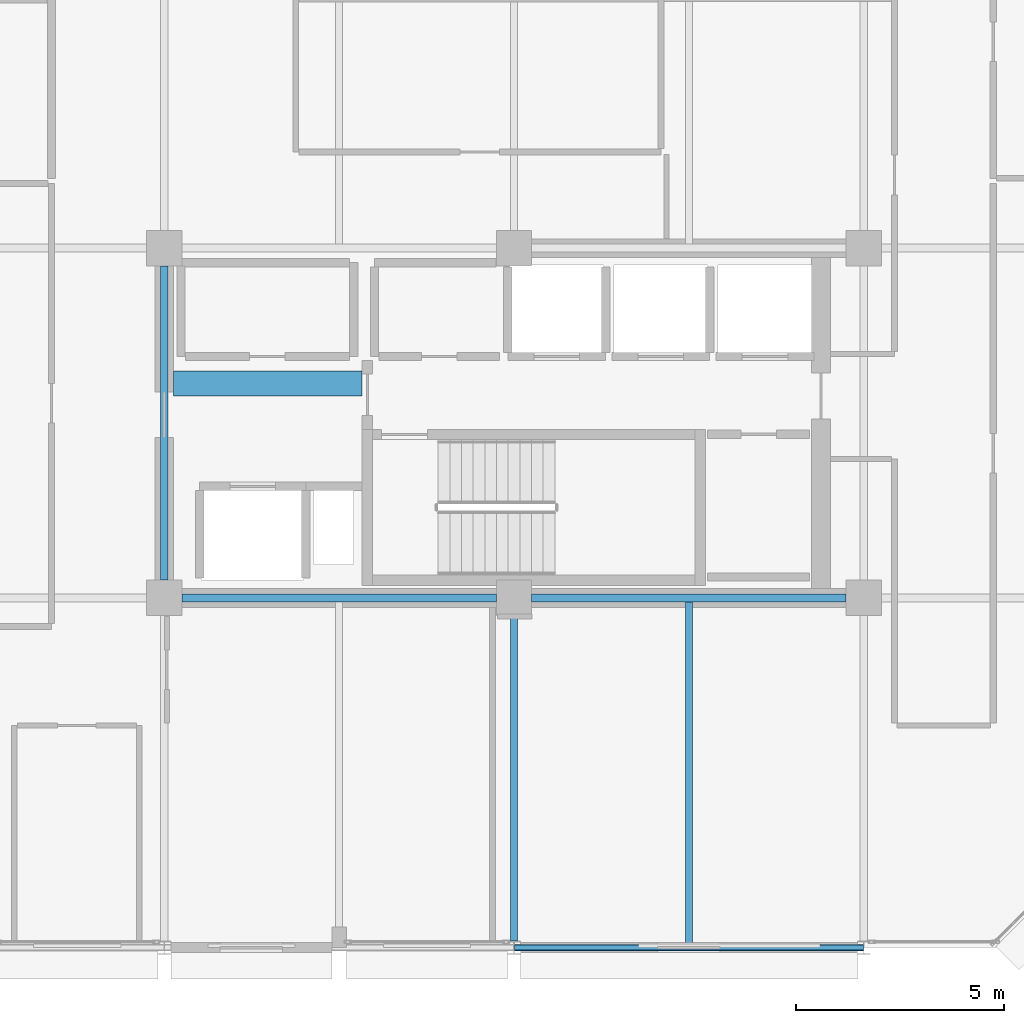
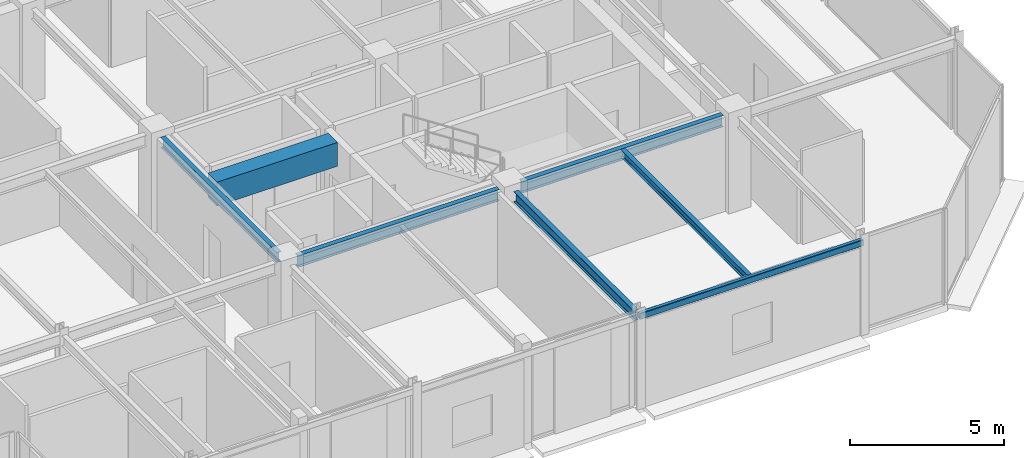
# One storey, part 8 of 27: 7 beams.
"""IFC4 building model written with IfcOpenShell, lengths in metres."""

from ifc_helpers import new_model, si_unit, direction, frame, origin, origin_2d, place, context, subcontext, project, spatial, rectangle, hollow_rectangle, i_section, extrude, material, material_profile, profile_set, type_object, element, save


model = new_model("IFC4")

# Units and contexts
model_context = context("Model", 3, precision=1e-05, world=origin(), true_north=direction((0.0, 1.0)))
body_context = subcontext(model_context, "Body", "Model", "MODEL_VIEW")
ifc_project = project(units=[si_unit("LENGTHUNIT", "METRE"), si_unit("AREAUNIT", "SQUARE_METRE"), si_unit("VOLUMEUNIT", "CUBIC_METRE"), si_unit("PLANEANGLEUNIT", "RADIAN"), si_unit("MASSUNIT", "GRAM", prefix="KILO")], contexts=[model_context])

# Site, building, storey
site_placement = place(None, origin())
site = spatial("IfcSite", under=ifc_project, at=site_placement, CompositionType="ELEMENT")
building_placement = place(site_placement, origin())
building = spatial("IfcBuilding", under=site, at=building_placement, Name="Nerrivon Quay Data Exchange", CompositionType="ELEMENT")
storey_placement = place(building_placement, frame((0.0, 0.0, 254.199951171875)))
storey = spatial("IfcBuildingStorey", under=building, at=storey_placement, Name="L60", CompositionType="ELEMENT", Elevation=254.199951171875)

# Beams
ifc_material_1 = material(Name="Concrete N50 (50 MPa)", Category="concrete")
ifc_material_profile_1 = material_profile(ifc_material_1, rectangle(XDim=0.60009765625, YDim=0.949951171875, at=origin_2d()), Name="RC-CB-600x950")
ifc_profile_set_1 = profile_set([ifc_material_profile_1], Name="Concrete N50 (50 MPa)")
beam_type_1 = type_object("IfcBeamType", Name="BM-CB2-600x950", PredefinedType="LINTEL", material=ifc_profile_set_1)
beam_1_placement = place(storey_placement, frame((17.02490234375, 13.550048828125, 3.25), z_axis=(1.0, 0.0, 0.0), x_axis=(0.0, 1.0, 0.0)))
element("IfcBeam", 1, at=beam_1_placement, inside=storey, type_object=beam_type_1, Name="L60 East Core Coupling Beam", PredefinedType="LINTEL", context=body_context, shape_type="SweptSolid", body=[
    extrude(rectangle(XDim=0.60009765625, YDim=0.949951171875, at=origin_2d()), origin(), (0.0, 0.0, 1.0), 4.530029296875),
])
ifc_material_2 = material(Name="Steel Grade 350", Category="steel")
ifc_material_profile_2 = material_profile(ifc_material_2, i_section(OverallWidth=0.18994140625, OverallDepth=0.4541015625, WebThickness=0.008544921875, FlangeThickness=0.0126953125, FilletRadius=0.011474609375, at=origin_2d()), Name="460UB67.1")
ifc_profile_set_2 = profile_set([ifc_material_profile_2], Name="Steel Grade 350")
beam_type_2 = type_object("IfcBeamType", Name="BM-G6-460UB67", PredefinedType="BEAM", material=ifc_profile_set_2)
beam_2_placement = place(storey_placement, frame((17.22509765625, 8.39990234375, 3.498046875), z_axis=(1.0, 0.0, 0.0), x_axis=(0.0, 1.0, 0.0)))
element("IfcBeam", 2, at=beam_2_placement, inside=storey, type_object=beam_type_2, Name="L60 EW Girder Y=8.4 (16.8..25.2)", PredefinedType="BEAM", context=body_context, shape_type="SweptSolid", body=[
    extrude(i_section(OverallWidth=0.18994140625, OverallDepth=0.4541015625, WebThickness=0.008544921875, FlangeThickness=0.0126953125, FilletRadius=0.011474609375, at=origin_2d()), origin(), (0.0, 0.0, 1.0), 7.5498046875),
])
beam_3_placement = place(storey_placement, frame((25.625, 8.39990234375, 3.498046875), z_axis=(1.0, 0.0, 0.0), x_axis=(0.0, 1.0, 0.0)))
element("IfcBeam", 3, at=beam_3_placement, inside=storey, type_object=beam_type_2, Name="L60 EW Girder Y=8.4 (25.2..33.6)", PredefinedType="BEAM", context=body_context, shape_type="SweptSolid", body=[
    extrude(i_section(OverallWidth=0.18994140625, OverallDepth=0.4541015625, WebThickness=0.008544921875, FlangeThickness=0.0126953125, FilletRadius=0.011474609375, at=origin_2d()), origin(), (0.0, 0.0, 1.0), 7.550048828125),
])
ifc_material_profile_3 = material_profile(ifc_material_2, i_section(OverallWidth=0.177978515625, OverallDepth=0.406005859375, WebThickness=0.0078125, FlangeThickness=0.0126953125, FilletRadius=0.011474609375, at=origin_2d()), Name="410UB59.7")
ifc_profile_set_3 = profile_set([ifc_material_profile_3], Name="Steel Grade 350")
beam_type_3 = type_object("IfcBeamType", Name="BM-J1-410UB60", PredefinedType="JOIST", material=ifc_profile_set_3)
beam_4_placement = place(storey_placement, frame((16.800048828125, 8.824951171875, 3.52197265625), z_axis=(0.0, 1.0, 0.0), x_axis=(-1.0, 0.0, 0.0)))
element("IfcBeam", 4, at=beam_4_placement, inside=storey, type_object=beam_type_3, Name="L60 NS Girder X=16.8 (8.4..16.8)", PredefinedType="JOIST", context=body_context, shape_type="SweptSolid", body=[
    extrude(i_section(OverallWidth=0.177978515625, OverallDepth=0.406005859375, WebThickness=0.0078125, FlangeThickness=0.0126953125, FilletRadius=0.011474609375, at=origin_2d()), origin(), (0.0, 0.0, 1.0), 7.550048828125),
])
beam_5_placement = place(storey_placement, frame((25.199951171875, 0.16357421875, 3.52197265625), z_axis=(0.0, 1.0, 0.0), x_axis=(-1.0, 0.0, 0.0)))
element("IfcBeam", 5, at=beam_5_placement, inside=storey, type_object=beam_type_3, Name="L60 NS Girder X=25.2 (0.0..8.4)", PredefinedType="JOIST", context=body_context, shape_type="SweptSolid", body=[
    extrude(i_section(OverallWidth=0.177978515625, OverallDepth=0.406005859375, WebThickness=0.0078125, FlangeThickness=0.0126953125, FilletRadius=0.011474609375, at=origin_2d()), origin(), (0.0, 0.0, 1.0), 7.8115234375),
])
ifc_material_profile_4 = material_profile(ifc_material_2, i_section(OverallWidth=0.1650390625, OverallDepth=0.303955078125, WebThickness=0.006103515625, FlangeThickness=0.01025390625, FilletRadius=0.011474609375, at=origin_2d()), Name="310UB40.4")
ifc_profile_set_4 = profile_set([ifc_material_profile_4], Name="Steel Grade 350")
beam_type_4 = type_object("IfcBeamType", Name="BM-J6-310UB40", PredefinedType="JOIST", material=ifc_profile_set_4)
beam_6_placement = place(storey_placement, frame((29.39990234375, 0.074951171875, 3.572998046875), z_axis=(0.0, 1.0, 0.0), x_axis=(-1.0, 0.0, 0.0)))
element("IfcBeam", 6, at=beam_6_placement, inside=storey, type_object=beam_type_4, Name="L60 Secondary Joist X=29.4 (0.0..8.4)", PredefinedType="JOIST", context=body_context, shape_type="SweptSolid", body=[
    extrude(i_section(OverallWidth=0.1650390625, OverallDepth=0.303955078125, WebThickness=0.006103515625, FlangeThickness=0.01025390625, FilletRadius=0.011474609375, at=origin_2d()), origin(), (0.0, 0.0, 1.0), 8.22998046875),
])
ifc_material_3 = material(Name="Steel Grade C350L0 (350 MPa)", Category="steel")
ifc_material_profile_5 = material_profile(ifc_material_3, hollow_rectangle(XDim=0.14990234375, YDim=0.25, WallThickness=0.009033203125, InnerFilletRadius=0.013427734375, OuterFilletRadius=0.0224609375, at=origin_2d()), Name="250x150x9.0RHS")
ifc_profile_set_5 = profile_set([ifc_material_profile_5], Name="Steel Grade C350L0 (350 MPa)")
beam_type_5 = type_object("IfcBeamType", Name="BM-SP4-250x150RHS", PredefinedType="SPANDREL", material=ifc_profile_set_5)
beam_7_placement = place(storey_placement, frame((25.2080078125, 0.0, 3.60009765625), z_axis=(1.0, 0.0, 0.0), x_axis=(0.0, 1.0, 0.0)))
element("IfcBeam", 7, at=beam_7_placement, inside=storey, type_object=beam_type_5, Name="L60 EW Girder Y=0.0 (25.2..33.6)", PredefinedType="SPANDREL", context=body_context, shape_type="SweptSolid", body=[
    extrude(hollow_rectangle(XDim=0.14990234375, YDim=0.25, WallThickness=0.009033203125, InnerFilletRadius=0.013427734375, OuterFilletRadius=0.0224609375, at=origin_2d()), origin(), (0.0, 0.0, 1.0), 8.38427734375),
])

save(model, "model.ifc")
